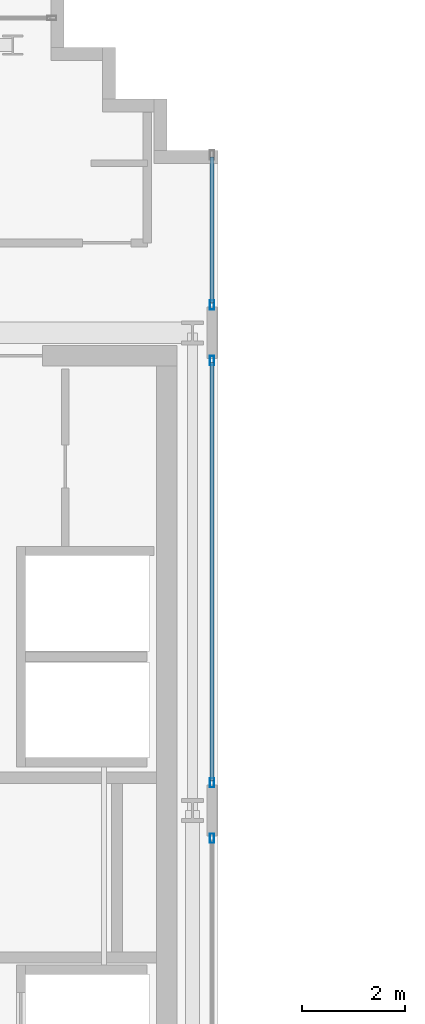
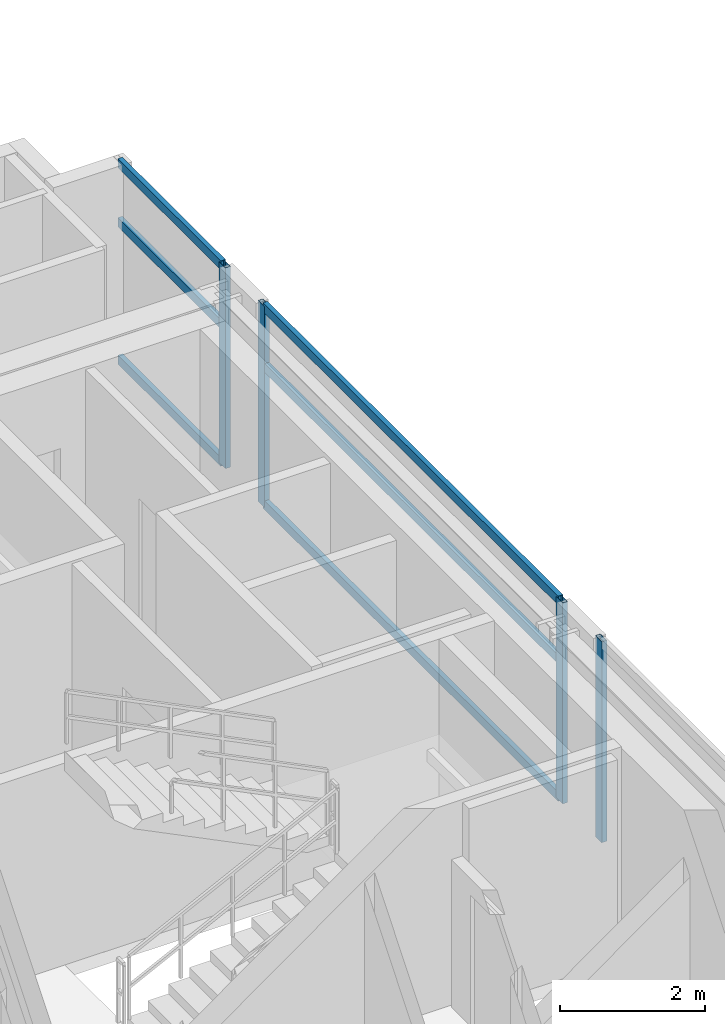
# One storey, part 7 of 25: 10 members, 3 elements without a shape of their own.
"""IFC4 building model written with IfcOpenShell, lengths in metres."""

from ifc_helpers import new_model, si_unit, direction, frame, origin, origin_2d, place, context, subcontext, project, spatial, hollow_rectangle, extrude, source, transform, mapped, material, layer, layer_set, material_profile, profile_set, type_object, element, aggregate, save


model = new_model("IFC4")

# Units and contexts
model_context = context("Model", 3, precision=1e-05, world=origin(), true_north=direction((0.0, 1.0)))
body_context = subcontext(model_context, "Body", "Model", "MODEL_VIEW")
ifc_project = project(units=[si_unit("LENGTHUNIT", "METRE"), si_unit("AREAUNIT", "SQUARE_METRE"), si_unit("VOLUMEUNIT", "CUBIC_METRE"), si_unit("PLANEANGLEUNIT", "RADIAN"), si_unit("MASSUNIT", "GRAM", prefix="KILO")], contexts=[model_context])

# Site, building, storey
site_placement = place(None, origin())
site = spatial("IfcSite", under=ifc_project, at=site_placement, CompositionType="ELEMENT")
building_placement = place(site_placement, origin())
building = spatial("IfcBuilding", under=site, at=building_placement, Name="Ocotamira Hotel", CompositionType="ELEMENT")
storey_placement = place(building_placement, frame((0.0, 0.0, 254.39990234375)))
storey = spatial("IfcBuildingStorey", under=building, at=storey_placement, Name="L64", CompositionType="ELEMENT", Elevation=254.39990234375)

# Curtain wall, member
ifc_material_1 = material(Name="Anodised pale-metal aluminium and solar glass", Category="aluminium")
ifc_layer = layer(ifc_material_1, 0.2099609375)
ifc_layer_set = layer_set([ifc_layer], Name="Anodised pale-metal aluminium and solar glass")
curtain_wall_type = type_object("IfcCurtainWallType", Name="CW-SYS7-PEAK", PredefinedType="NOTDEFINED", material=ifc_layer_set)
curtain_wall_1_placement = place(storey_placement, origin())
curtain_wall_1 = element("IfcCurtainWall", 1, at=curtain_wall_1_placement, inside=storey, type_object=curtain_wall_type, Name="L64 Curtain Wall CW-7 CW-L64-WI2", PredefinedType="NOTDEFINED")
ifc_material_2 = material(Name="Anodised pale-metal aluminium 6063-T6", Category="aluminium")
ifc_material_profile_1 = material_profile(ifc_material_2, hollow_rectangle(XDim=0.080078125, YDim=0.179931640625, WallThickness=0.006103515625, at=origin_2d()), Name="HSS180X80X6")
ifc_profile_set_1 = profile_set([ifc_material_profile_1], Name="Anodised pale-metal aluminium 6063-T6")
member_type_1 = type_object("IfcMemberType", Name="CWM-180X75", PredefinedType="MULLION", material=ifc_profile_set_1)
shared_shape_1 = source(origin(), body_context, "Body", "SweptSolid", [
    extrude(hollow_rectangle(XDim=0.080078125, YDim=0.179931640625, WallThickness=0.006103515625, at=origin_2d()), origin(), (0.0, 0.0, 1.0), 3.380126953125),
])
member_1_placement = place(storey_placement, frame((23.8798828125, 27.610107421875, 0.0), z_axis=(0.0, 0.0, 1.0), x_axis=(-1.0, 0.0, 0.0)))
member_1 = element("IfcMember", 2, at=member_1_placement, type_object=member_type_1, Name="CW-7 mullion 3", PredefinedType="MULLION", context=body_context, shape_type="MappedRepresentation", body=[
    mapped(shared_shape_1, transform((0.0, 0.0, 0.0), scale=1.0)),
])
aggregate(curtain_wall_1, [member_1])

# Curtain wall, members
curtain_wall_2_placement = place(storey_placement, origin())
curtain_wall_2 = element("IfcCurtainWall", 3, at=curtain_wall_2_placement, inside=storey, type_object=curtain_wall_type, Name="L64 Curtain Wall CW-7 CW-L64-WI3", PredefinedType="NOTDEFINED")
member_2_placement = place(storey_placement, frame((23.8798828125, 28.68994140625, 0.0), z_axis=(0.0, 0.0, 1.0), x_axis=(-1.0, 0.0, 0.0)))
member_2 = element("IfcMember", 4, at=member_2_placement, type_object=member_type_1, Name="CW-7 mullion 1", PredefinedType="MULLION", context=body_context, shape_type="MappedRepresentation", body=[
    mapped(shared_shape_1, transform((0.0, 0.0, 0.0), scale=1.0)),
])
member_3_placement = place(storey_placement, frame((23.8798828125, 36.909912109375, 0.0), z_axis=(0.0, 0.0, 1.0), x_axis=(-1.0, 0.0, 0.0)))
member_3 = element("IfcMember", 5, at=member_3_placement, type_object=member_type_1, Name="CW-7 mullion 2", PredefinedType="MULLION", context=body_context, shape_type="MappedRepresentation", body=[
    mapped(shared_shape_1, transform((0.0, 0.0, 0.0), scale=1.0)),
])

curtain_wall_3_placement = place(storey_placement, origin())
curtain_wall_3 = element("IfcCurtainWall", 6, at=curtain_wall_3_placement, inside=storey, type_object=curtain_wall_type, Name="L64 Curtain Wall CW-7 CW-L64-WI4", PredefinedType="NOTDEFINED")
member_4_placement = place(storey_placement, frame((23.8798828125, 37.989990234375, 0.0), z_axis=(0.0, 0.0, 1.0), x_axis=(-1.0, 0.0, 0.0)))
member_4 = element("IfcMember", 7, at=member_4_placement, type_object=member_type_1, Name="CW-7 mullion 1", PredefinedType="MULLION", context=body_context, shape_type="MappedRepresentation", body=[
    mapped(shared_shape_1, transform((0.0, 0.0, 0.0), scale=1.0)),
])
ifc_material_profile_2 = material_profile(ifc_material_2, hollow_rectangle(XDim=0.074951171875, YDim=0.14990234375, WallThickness=0.006103515625, at=origin_2d()), Name="HSS150X75X6")
ifc_profile_set_2 = profile_set([ifc_material_profile_2], Name="Anodised pale-metal aluminium 6063-T6")
member_type_2 = type_object("IfcMemberType", Name="CWT-150X75", PredefinedType="USERDEFINED", material=ifc_profile_set_2)
shared_shape_2 = source(origin(), body_context, "Body", "SweptSolid", [
    extrude(hollow_rectangle(XDim=0.074951171875, YDim=0.14990234375, WallThickness=0.006103515625, at=origin_2d()), origin(), (0.0, 0.0, 1.0), 2.840087890625),
])
member_5_placement = place(storey_placement, frame((23.8798828125, 38.030029296875, 0.03759765625), z_axis=(0.0, 1.0, 0.0), x_axis=(-1.0, 0.0, 0.0)))
member_5 = element("IfcMember", 8, at=member_5_placement, type_object=member_type_2, Name="CW-7 transom 1.1", ObjectType="TRANSOM", PredefinedType="USERDEFINED", context=body_context, shape_type="MappedRepresentation", body=[
    mapped(shared_shape_2, transform((0.0, 0.0, 0.0), scale=1.0)),
])
member_6_placement = place(storey_placement, frame((23.8798828125, 38.030029296875, 2.35009765625), z_axis=(0.0, 1.0, 0.0), x_axis=(-1.0, 0.0, 0.0)))
member_6 = element("IfcMember", 9, at=member_6_placement, type_object=member_type_2, Name="CW-7 transom 1.2", ObjectType="TRANSOM", PredefinedType="USERDEFINED", context=body_context, shape_type="MappedRepresentation", body=[
    mapped(shared_shape_2, transform((0.0, 0.0, 0.0), scale=1.0)),
])
member_7_placement = place(storey_placement, frame((23.8798828125, 38.030029296875, 3.342529296875), z_axis=(0.0, 1.0, 0.0), x_axis=(-1.0, 0.0, 0.0)))
member_7 = element("IfcMember", 10, at=member_7_placement, type_object=member_type_2, Name="CW-7 transom 1.3", ObjectType="TRANSOM", PredefinedType="USERDEFINED", context=body_context, shape_type="MappedRepresentation", body=[
    mapped(shared_shape_2, transform((0.0, 0.0, 0.0), scale=1.0)),
])
aggregate(curtain_wall_3, [member_4, member_5, member_6, member_7])

# Member
shared_shape_3 = source(origin(), body_context, "Body", "SweptSolid", [
    extrude(hollow_rectangle(XDim=0.074951171875, YDim=0.14990234375, WallThickness=0.006103515625, at=origin_2d()), origin(), (0.0, 0.0, 1.0), 8.14013671875),
])
member_8_placement = place(storey_placement, frame((23.8798828125, 28.72998046875, 0.03759765625), z_axis=(0.0, 1.0, 0.0), x_axis=(-1.0, 0.0, 0.0)))
member_8 = element("IfcMember", 11, at=member_8_placement, type_object=member_type_2, Name="CW-7 transom 1.1", ObjectType="TRANSOM", PredefinedType="USERDEFINED", context=body_context, shape_type="MappedRepresentation", body=[
    mapped(shared_shape_3, transform((0.0, 0.0, 0.0), scale=1.0)),
])

member_9_placement = place(storey_placement, frame((23.8798828125, 28.72998046875, 2.35009765625), z_axis=(0.0, 1.0, 0.0), x_axis=(-1.0, 0.0, 0.0)))
member_9 = element("IfcMember", 12, at=member_9_placement, type_object=member_type_2, Name="CW-7 transom 1.2", ObjectType="TRANSOM", PredefinedType="USERDEFINED", context=body_context, shape_type="MappedRepresentation", body=[
    mapped(shared_shape_3, transform((0.0, 0.0, 0.0), scale=1.0)),
])

member_10_placement = place(storey_placement, frame((23.8798828125, 28.72998046875, 3.342529296875), z_axis=(0.0, 1.0, 0.0), x_axis=(-1.0, 0.0, 0.0)))
member_10 = element("IfcMember", 13, at=member_10_placement, type_object=member_type_2, Name="CW-7 transom 1.3", ObjectType="TRANSOM", PredefinedType="USERDEFINED", context=body_context, shape_type="MappedRepresentation", body=[
    mapped(shared_shape_3, transform((0.0, 0.0, 0.0), scale=1.0)),
])

aggregate(curtain_wall_2, [member_2, member_3, member_8, member_9, member_10])

save(model, "model.ifc")
